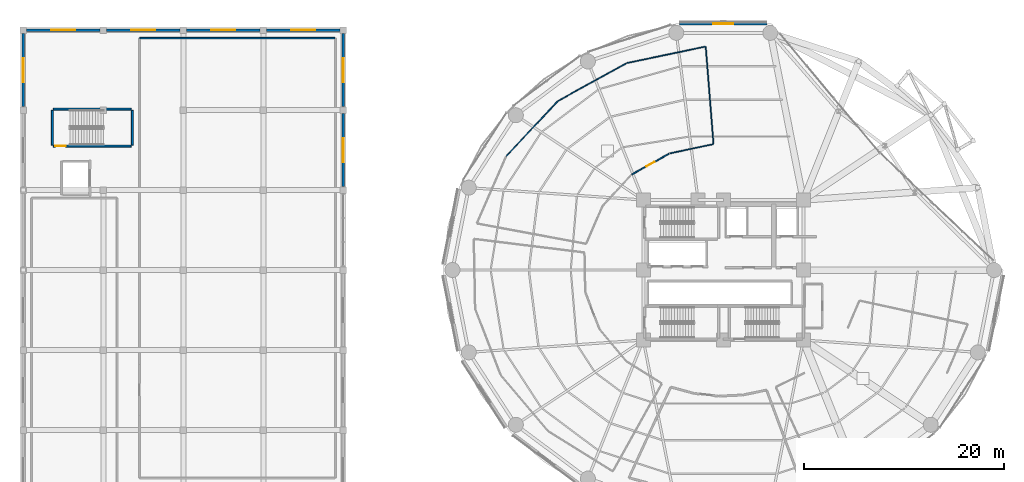
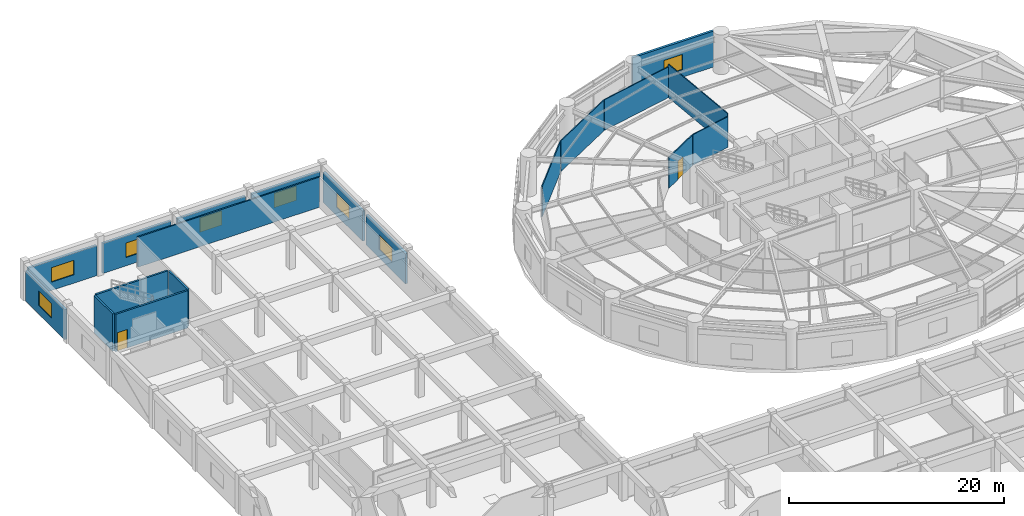
# One storey, part 44 of 52: 19 walls, 8 windows, 2 doors, 10 openings.
"""IFC4 building model written with IfcOpenShell, lengths in metres."""

from ifc_helpers import new_model, si_unit, direction, frame, frame_2d, origin, place, context, subcontext, project, spatial, rectangle, extrude, material, layer, layer_set, type_object, element, fill, save


model = new_model("IFC4")

# Units and contexts
model_context = context("Model", 3, precision=1e-05, world=origin(), true_north=direction((0.0, 1.0)))
body_context = subcontext(model_context, "Body", "Model", "MODEL_VIEW")
ifc_project = project(units=[si_unit("LENGTHUNIT", "METRE"), si_unit("AREAUNIT", "SQUARE_METRE"), si_unit("VOLUMEUNIT", "CUBIC_METRE"), si_unit("PLANEANGLEUNIT", "RADIAN"), si_unit("MASSUNIT", "GRAM", prefix="KILO")], contexts=[model_context])

# Site, building, storey
site_placement = place(None, origin())
site = spatial("IfcSite", under=ifc_project, at=site_placement, CompositionType="ELEMENT")
building_placement = place(site_placement, origin())
building = spatial("IfcBuilding", under=site, at=building_placement, Name="Kelanora Arch Commons", CompositionType="ELEMENT")
storey_placement = place(building_placement, frame((0.0, 0.0, 13.5)))
storey = spatial("IfcBuildingStorey", under=building, at=storey_placement, Name="L03", CompositionType="ELEMENT", Elevation=13.5)

# Wall
ifc_material_1 = material(Name="Autoclaved aerated concrete blockwork with fire plaster", Category="masonry")
ifc_layer_1 = layer(ifc_material_1, 0.14990234375)
ifc_layer_set_1 = layer_set([ifc_layer_1], Name="Autoclaved aerated concrete blockwork with fire plaster")
wall_type_1 = type_object("IfcWallType", Name="W-COMP-150", PredefinedType="PARTITIONING", material=ifc_layer_set_1)
wall_1_placement = place(storey_placement, frame((35.159912109375, 81.199951171875, 0.0), z_axis=(0.0, 0.0, 1.0), x_axis=(-1.0, 0.0, 0.0)))
element("IfcWall", 1, at=wall_1_placement, inside=storey, type_object=wall_type_1, Name="Market Bakery Bulk Flour and Cold Store L03 Enclosure Partition 3", PredefinedType="PARTITIONING", context=body_context, shape_type="SweptSolid", body=[
    extrude(rectangle(XDim=19.5, YDim=0.14990234375, at=frame_2d((9.75, 0.0))), origin(), (0.0, 0.0, 1.0), 3.425048828125),
])

# Wall, opening, window
ifc_material_2 = material(Name="Precast concrete C40/50 with terracotta ceramic cladding", Category="masonry")
ifc_layer_2 = layer(ifc_material_2, 0.25)
ifc_layer_set_2 = layer_set([ifc_layer_2], Name="Precast concrete C40/50 with terracotta ceramic cladding")
wall_type_2 = type_object("IfcWallType", Name="W-EXT-MKT", PredefinedType="SOLIDWALL", material=ifc_layer_set_2)
wall_2_placement = place(storey_placement, frame((36.0, 66.330078125, 0.0), z_axis=(0.0, 0.0, 1.0), x_axis=(0.0, 1.0, 0.0)))
wall_2 = element("IfcWall", 2, at=wall_2_placement, inside=storey, type_object=wall_type_2, Name="Market Hall Exterior Wall L03-28", PredefinedType="SOLIDWALL", context=body_context, shape_type="SweptSolid", body=[
    extrude(rectangle(XDim=7.33984375, YDim=0.25, at=frame_2d((3.669921875, 0.0))), origin(), (0.0, 0.0, 1.0), 3.419921875),
])
opening_1_placement = place(wall_2_placement, frame((2.469970703125, 0.0, 0.949951171875)))
opening_1 = element("IfcOpeningElement", 3, at=opening_1_placement, cuts=wall_2, Name="Opening WN-03", PredefinedType="OPENING", context=body_context, shape_type="SweptSolid", body=[
    extrude(rectangle(XDim=2.39990234375, YDim=1.64990234375, at=frame_2d((1.199951171875, 0.824951171875))), frame((0.0, 0.135009765625, 0.0), z_axis=(0.0, -1.0, 0.0), x_axis=(1.0, 0.0, 0.0)), (0.0, 0.0, 1.0), 0.27001953125),
])
ifc_material_3 = material(Name="Bronze-terracotta aluminium monsoon clerestory window", Category="masonry")
window_type_1 = type_object("IfcWindowType", Name="WIN-MKT-24", PartitioningType="TRIPLE_PANEL_VERTICAL", PredefinedType="WINDOW", material=ifc_material_3)
window_1_placement = place(opening_1_placement, origin())
window_1 = element("IfcWindow", 4, at=window_1_placement, inside=storey, type_object=window_type_1, Name="Market Hall Clerestory Window L03-28", OverallHeight=1.64990234375, OverallWidth=2.39990234375, PartitioningType="SINGLE_PANEL", PredefinedType="WINDOW", context=body_context, shape_type="SweptSolid", body=[
    extrude(rectangle(XDim=2.39990234375, YDim=1.64990234375, at=frame_2d((1.199951171875, 0.824951171875))), frame((0.0, 0.030029296875, 0.0), z_axis=(0.0, -1.0, 0.0), x_axis=(1.0, 0.0, 0.0)), (0.0, 0.0, 1.0), 0.06005859375),
])
fill(opening_1, window_1)

wall_3_placement = place(storey_placement, frame((36.0, 74.330078125, 0.0), z_axis=(0.0, 0.0, 1.0), x_axis=(0.0, 1.0, 0.0)))
wall_3 = element("IfcWall", 5, at=wall_3_placement, inside=storey, type_object=wall_type_2, Name="Market Hall Exterior Wall L03-29", PredefinedType="SOLIDWALL", context=body_context, shape_type="SweptSolid", body=[
    extrude(rectangle(XDim=7.33984375, YDim=0.25, at=frame_2d((3.669921875, 0.0))), origin(), (0.0, 0.0, 1.0), 3.419921875),
])
opening_2_placement = place(wall_3_placement, frame((2.469970703125, 0.0, 0.949951171875)))
opening_2 = element("IfcOpeningElement", 6, at=opening_2_placement, cuts=wall_3, Name="Opening WN-03", PredefinedType="OPENING", context=body_context, shape_type="SweptSolid", body=[
    extrude(rectangle(XDim=2.39990234375, YDim=1.64990234375, at=frame_2d((1.199951171875, 0.824951171875))), frame((0.0, 0.135009765625, 0.0), z_axis=(0.0, -1.0, 0.0), x_axis=(1.0, 0.0, 0.0)), (0.0, 0.0, 1.0), 0.27001953125),
])
window_2_placement = place(opening_2_placement, origin())
window_2 = element("IfcWindow", 7, at=window_2_placement, inside=storey, type_object=window_type_1, Name="Market Hall Clerestory Window L03-29", OverallHeight=1.64990234375, OverallWidth=2.39990234375, PartitioningType="SINGLE_PANEL", PredefinedType="WINDOW", context=body_context, shape_type="SweptSolid", body=[
    extrude(rectangle(XDim=2.39990234375, YDim=1.64990234375, at=frame_2d((1.199951171875, 0.824951171875))), frame((0.0, 0.030029296875, 0.0), z_axis=(0.0, -1.0, 0.0), x_axis=(1.0, 0.0, 0.0)), (0.0, 0.0, 1.0), 0.06005859375),
])
fill(opening_2, window_2)

wall_4_placement = place(storey_placement, frame((35.669921875, 82.0, 0.0), z_axis=(0.0, 0.0, 1.0), x_axis=(-1.0, 0.0, 0.0)))
wall_4 = element("IfcWall", 8, at=wall_4_placement, inside=storey, type_object=wall_type_2, Name="Market Hall Exterior Wall L03-30", PredefinedType="SOLIDWALL", context=body_context, shape_type="SweptSolid", body=[
    extrude(rectangle(XDim=7.33984375, YDim=0.25, at=frame_2d((3.669921875, 0.0))), origin(), (0.0, 0.0, 1.0), 3.419921875),
])
opening_3_placement = place(wall_4_placement, frame((2.469970703125, 0.0, 0.949951171875)))
opening_3 = element("IfcOpeningElement", 9, at=opening_3_placement, cuts=wall_4, Name="Opening WN-03", PredefinedType="OPENING", context=body_context, shape_type="SweptSolid", body=[
    extrude(rectangle(XDim=2.39990234375, YDim=1.64990234375, at=frame_2d((1.199951171875, 0.824951171875))), frame((0.0, 0.135009765625, 0.0), z_axis=(0.0, -1.0, 0.0), x_axis=(1.0, 0.0, 0.0)), (0.0, 0.0, 1.0), 0.27001953125),
])
window_3_placement = place(opening_3_placement, origin())
window_3 = element("IfcWindow", 10, at=window_3_placement, inside=storey, type_object=window_type_1, Name="Market Hall Clerestory Window L03-30", OverallHeight=1.64990234375, OverallWidth=2.39990234375, PartitioningType="SINGLE_PANEL", PredefinedType="WINDOW", context=body_context, shape_type="SweptSolid", body=[
    extrude(rectangle(XDim=2.39990234375, YDim=1.64990234375, at=frame_2d((1.199951171875, 0.824951171875))), frame((0.0, 0.030029296875, 0.0), z_axis=(0.0, -1.0, 0.0), x_axis=(1.0, 0.0, 0.0)), (0.0, 0.0, 1.0), 0.06005859375),
])
fill(opening_3, window_3)

wall_5_placement = place(storey_placement, frame((27.669921875, 82.0, 0.0), z_axis=(0.0, 0.0, 1.0), x_axis=(-1.0, 0.0, 0.0)))
wall_5 = element("IfcWall", 11, at=wall_5_placement, inside=storey, type_object=wall_type_2, Name="Market Hall Exterior Wall L03-31", PredefinedType="SOLIDWALL", context=body_context, shape_type="SweptSolid", body=[
    extrude(rectangle(XDim=7.33984375, YDim=0.25, at=frame_2d((3.669921875, 0.0))), origin(), (0.0, 0.0, 1.0), 3.419921875),
])
opening_4_placement = place(wall_5_placement, frame((2.469970703125, 0.0, 0.949951171875)))
opening_4 = element("IfcOpeningElement", 12, at=opening_4_placement, cuts=wall_5, Name="Opening WN-03", PredefinedType="OPENING", context=body_context, shape_type="SweptSolid", body=[
    extrude(rectangle(XDim=2.39990234375, YDim=1.64990234375, at=frame_2d((1.199951171875, 0.824951171875))), frame((0.0, 0.135009765625, 0.0), z_axis=(0.0, -1.0, 0.0), x_axis=(1.0, 0.0, 0.0)), (0.0, 0.0, 1.0), 0.27001953125),
])
window_4_placement = place(opening_4_placement, origin())
window_4 = element("IfcWindow", 13, at=window_4_placement, inside=storey, type_object=window_type_1, Name="Market Hall Clerestory Window L03-31", OverallHeight=1.64990234375, OverallWidth=2.39990234375, PartitioningType="SINGLE_PANEL", PredefinedType="WINDOW", context=body_context, shape_type="SweptSolid", body=[
    extrude(rectangle(XDim=2.39990234375, YDim=1.64990234375, at=frame_2d((1.199951171875, 0.824951171875))), frame((0.0, 0.030029296875, 0.0), z_axis=(0.0, -1.0, 0.0), x_axis=(1.0, 0.0, 0.0)), (0.0, 0.0, 1.0), 0.06005859375),
])
fill(opening_4, window_4)

wall_6_placement = place(storey_placement, frame((19.669921875, 82.0, 0.0), z_axis=(0.0, 0.0, 1.0), x_axis=(-1.0, 0.0, 0.0)))
wall_6 = element("IfcWall", 14, at=wall_6_placement, inside=storey, type_object=wall_type_2, Name="Market Hall Exterior Wall L03-32", PredefinedType="SOLIDWALL", context=body_context, shape_type="SweptSolid", body=[
    extrude(rectangle(XDim=7.33984375, YDim=0.25, at=frame_2d((3.669921875, 0.0))), origin(), (0.0, 0.0, 1.0), 3.419921875),
])
opening_5_placement = place(wall_6_placement, frame((2.469970703125, 0.0, 0.949951171875)))
opening_5 = element("IfcOpeningElement", 15, at=opening_5_placement, cuts=wall_6, Name="Opening WN-03", PredefinedType="OPENING", context=body_context, shape_type="SweptSolid", body=[
    extrude(rectangle(XDim=2.39990234375, YDim=1.64990234375, at=frame_2d((1.199951171875, 0.824951171875))), frame((0.0, 0.135009765625, 0.0), z_axis=(0.0, -1.0, 0.0), x_axis=(1.0, 0.0, 0.0)), (0.0, 0.0, 1.0), 0.27001953125),
])
window_5_placement = place(opening_5_placement, origin())
window_5 = element("IfcWindow", 16, at=window_5_placement, inside=storey, type_object=window_type_1, Name="Market Hall Clerestory Window L03-32", OverallHeight=1.64990234375, OverallWidth=2.39990234375, PartitioningType="SINGLE_PANEL", PredefinedType="WINDOW", context=body_context, shape_type="SweptSolid", body=[
    extrude(rectangle(XDim=2.39990234375, YDim=1.64990234375, at=frame_2d((1.199951171875, 0.824951171875))), frame((0.0, 0.030029296875, 0.0), z_axis=(0.0, -1.0, 0.0), x_axis=(1.0, 0.0, 0.0)), (0.0, 0.0, 1.0), 0.06005859375),
])
fill(opening_5, window_5)

wall_7_placement = place(storey_placement, frame((11.669921875, 82.0, 0.0), z_axis=(0.0, 0.0, 1.0), x_axis=(-1.0, 0.0, 0.0)))
wall_7 = element("IfcWall", 17, at=wall_7_placement, inside=storey, type_object=wall_type_2, Name="Market Hall Exterior Wall L03-33", PredefinedType="SOLIDWALL", context=body_context, shape_type="SweptSolid", body=[
    extrude(rectangle(XDim=7.33984375, YDim=0.25, at=frame_2d((3.669921875, 0.0))), origin(), (0.0, 0.0, 1.0), 3.419921875),
])
opening_6_placement = place(wall_7_placement, frame((2.469970703125, 0.0, 0.949951171875)))
opening_6 = element("IfcOpeningElement", 18, at=opening_6_placement, cuts=wall_7, Name="Opening WN-03", PredefinedType="OPENING", context=body_context, shape_type="SweptSolid", body=[
    extrude(rectangle(XDim=2.39990234375, YDim=1.64990234375, at=frame_2d((1.199951171875, 0.824951171875))), frame((0.0, 0.135009765625, 0.0), z_axis=(0.0, -1.0, 0.0), x_axis=(1.0, 0.0, 0.0)), (0.0, 0.0, 1.0), 0.27001953125),
])
window_6_placement = place(opening_6_placement, origin())
window_6 = element("IfcWindow", 19, at=window_6_placement, inside=storey, type_object=window_type_1, Name="Market Hall Clerestory Window L03-33", OverallHeight=1.64990234375, OverallWidth=2.39990234375, PartitioningType="SINGLE_PANEL", PredefinedType="WINDOW", context=body_context, shape_type="SweptSolid", body=[
    extrude(rectangle(XDim=2.39990234375, YDim=1.64990234375, at=frame_2d((1.199951171875, 0.824951171875))), frame((0.0, 0.030029296875, 0.0), z_axis=(0.0, -1.0, 0.0), x_axis=(1.0, 0.0, 0.0)), (0.0, 0.0, 1.0), 0.06005859375),
])
fill(opening_6, window_6)

wall_8_placement = place(storey_placement, frame((4.0, 81.669921875, 0.0), z_axis=(0.0, 0.0, 1.0), x_axis=(0.0, -1.0, 0.0)))
wall_8 = element("IfcWall", 20, at=wall_8_placement, inside=storey, type_object=wall_type_2, Name="Market Hall Exterior Wall L03-34", PredefinedType="SOLIDWALL", context=body_context, shape_type="SweptSolid", body=[
    extrude(rectangle(XDim=7.33984375, YDim=0.25, at=frame_2d((3.669921875, 0.0))), origin(), (0.0, 0.0, 1.0), 3.419921875),
])
opening_7_placement = place(wall_8_placement, frame((2.469970703125, 0.0, 0.949951171875)))
opening_7 = element("IfcOpeningElement", 21, at=opening_7_placement, cuts=wall_8, Name="Opening WN-03", PredefinedType="OPENING", context=body_context, shape_type="SweptSolid", body=[
    extrude(rectangle(XDim=2.39990234375, YDim=1.64990234375, at=frame_2d((1.199951171875, 0.824951171875))), frame((0.0, 0.135009765625, 0.0), z_axis=(0.0, -1.0, 0.0), x_axis=(1.0, 0.0, 0.0)), (0.0, 0.0, 1.0), 0.27001953125),
])
window_7_placement = place(opening_7_placement, origin())
window_7 = element("IfcWindow", 22, at=window_7_placement, inside=storey, type_object=window_type_1, Name="Market Hall Clerestory Window L03-34", OverallHeight=1.64990234375, OverallWidth=2.39990234375, PartitioningType="SINGLE_PANEL", PredefinedType="WINDOW", context=body_context, shape_type="SweptSolid", body=[
    extrude(rectangle(XDim=2.39990234375, YDim=1.64990234375, at=frame_2d((1.199951171875, 0.824951171875))), frame((0.0, 0.030029296875, 0.0), z_axis=(0.0, -1.0, 0.0), x_axis=(1.0, 0.0, 0.0)), (0.0, 0.0, 1.0), 0.06005859375),
])
fill(opening_7, window_7)

ifc_material_4 = material(Name="Precast concrete C40/50 with terracotta rainscreen", Category="masonry")
ifc_layer_3 = layer(ifc_material_4, 0.260009765625)
ifc_layer_set_3 = layer_set([ifc_layer_3], Name="Precast concrete C40/50 with terracotta rainscreen")
wall_type_3 = type_object("IfcWallType", Name="W-EXT-TC", PredefinedType="SOLIDWALL", material=ifc_layer_set_3)
wall_9_placement = place(storey_placement, frame((78.35595703125, 82.6201171875, 0.0), z_axis=(0.0, 0.0, 1.0), x_axis=(-1.0, 0.0, 0.0)))
wall_9 = element("IfcWall", 23, at=wall_9_placement, inside=storey, type_object=wall_type_3, Name="Terracotta Exterior Wall L03-B04", PredefinedType="SOLIDWALL", context=body_context, shape_type="SweptSolid", body=[
    extrude(rectangle(XDim=8.7119140625, YDim=0.260009765625, at=frame_2d((4.35595703125, 0.0))), origin(), (0.0, 0.0, 1.0), 4.0849609375),
])
opening_8_placement = place(wall_9_placement, frame((3.35595703125, 0.0, 0.85009765625)))
opening_8 = element("IfcOpeningElement", 24, at=opening_8_placement, cuts=wall_9, Name="Opening WN-05", PredefinedType="OPENING", context=body_context, shape_type="SweptSolid", body=[
    extrude(rectangle(XDim=2.0, YDim=1.75, at=frame_2d((1.0, 0.875))), frame((0.0, 0.14013671875, 0.0), z_axis=(0.0, -1.0, 0.0), x_axis=(1.0, 0.0, 0.0)), (0.0, 0.0, 1.0), 0.280029296875),
])
ifc_material_5 = material(Name="Terracotta-anodised aluminium podium window", Category="masonry")
window_type_2 = type_object("IfcWindowType", Name="WIN-POD-20", PartitioningType="TRIPLE_PANEL_VERTICAL", PredefinedType="WINDOW", material=ifc_material_5)
window_8_placement = place(opening_8_placement, origin())
window_8 = element("IfcWindow", 25, at=window_8_placement, inside=storey, type_object=window_type_2, Name="Podium Window L03-B04", OverallHeight=1.75, OverallWidth=2.0, PartitioningType="SINGLE_PANEL", PredefinedType="WINDOW", context=body_context, shape_type="SweptSolid", body=[
    extrude(rectangle(XDim=2.0, YDim=1.75, at=frame_2d((1.0, 0.875))), frame((0.0, 0.030029296875, 0.0), z_axis=(0.0, -1.0, 0.0), x_axis=(1.0, 0.0, 0.0)), (0.0, 0.0, 1.0), 0.06005859375),
])
fill(opening_8, window_8)

# Walls
ifc_material_6 = material(Name="Lightweight fire-rated acoustic stud partition")
ifc_layer_4 = layer(ifc_material_6, 0.10009765625)
ifc_layer_set_4 = layer_set([ifc_layer_4], Name="Lightweight fire-rated acoustic stud partition")
wall_type_4 = type_object("IfcWallType", Name="W-PART-100", PredefinedType="PARTITIONING", material=ifc_layer_set_4)
wall_10_placement = place(storey_placement, frame((72.98291015625, 70.580810546875, 0.0), z_axis=(0.0, 0.0, 1.0), x_axis=(-0.978253554802, -0.207412590066, 0.0)))
element("IfcWall", 26, at=wall_10_placement, inside=storey, type_object=wall_type_4, Name="Shared Student Study Commons L03-B Enclosure Partition 1", PredefinedType="PARTITIONING", context=body_context, shape_type="SweptSolid", body=[
    extrude(rectangle(XDim=4.404541015625, YDim=0.10009765625, at=frame_2d((2.2021484375, 0.0))), origin(), (0.0, 0.0, 1.0), 3.485107421875),
])
wall_11_placement = place(storey_placement, frame((52.314208984375, 69.398193359375, 0.0), z_axis=(0.0, 0.0, 1.0), x_axis=(0.683252302105, 0.730182368774, 0.0)))
element("IfcWall", 27, at=wall_11_placement, inside=storey, type_object=wall_type_4, Name="Shared Student Study Commons L03-B Enclosure Partition 7", PredefinedType="PARTITIONING", context=body_context, shape_type="SweptSolid", body=[
    extrude(rectangle(XDim=7.501708984375, YDim=0.10009765625, at=frame_2d((3.7509765625, 0.0))), origin(), (0.0, 0.0, 1.0), 3.485107421875),
])
wall_12_placement = place(storey_placement, frame((57.501953125, 74.92431640625, 0.0), z_axis=(0.0, 0.0, 1.0), x_axis=(0.876163581943, 0.482013877059, 0.0)))
element("IfcWall", 28, at=wall_12_placement, inside=storey, type_object=wall_type_4, Name="Shared Student Study Commons L03-B Enclosure Partition 8", PredefinedType="PARTITIONING", context=body_context, shape_type="SweptSolid", body=[
    extrude(rectangle(XDim=7.782958984375, YDim=0.10009765625, at=frame_2d((3.8916015625, 0.0))), origin(), (0.0, 0.0, 1.0), 3.485107421875),
])
wall_13_placement = place(storey_placement, frame((64.395263671875, 78.703125, 0.0), z_axis=(0.0, 0.0, 1.0), x_axis=(0.978799758691, 0.204819511731, 0.0)))
element("IfcWall", 29, at=wall_13_placement, inside=storey, type_object=wall_type_4, Name="Shared Student Study Commons L03-B Enclosure Partition 9", PredefinedType="PARTITIONING", context=body_context, shape_type="SweptSolid", body=[
    extrude(rectangle(XDim=7.976806640625, YDim=0.10009765625, at=frame_2d((3.98828125, 0.0))), origin(), (0.0, 0.0, 1.0), 3.485107421875),
])
wall_14_placement = place(storey_placement, frame((72.2451171875, 80.30517578125, 0.0), z_axis=(0.0, 0.0, 1.0), x_axis=(0.079702238281, -0.996818716324, 0.0)))
element("IfcWall", 30, at=wall_14_placement, inside=storey, type_object=wall_type_4, Name="Shared Student Study Commons L03-B Enclosure Partition 10", PredefinedType="PARTITIONING", context=body_context, shape_type="SweptSolid", body=[
    extrude(rectangle(XDim=9.70703125, YDim=0.10009765625, at=frame_2d((4.853515625, 0.0))), origin(), (0.0, 0.0, 1.0), 3.784912109375),
])

# Wall, opening, door
ifc_material_7 = material(Name="Acoustic twin-stud fire-rated gypsum partition")
ifc_layer_5 = layer(ifc_material_7, 0.1201171875)
ifc_layer_set_5 = layer_set([ifc_layer_5], Name="Acoustic twin-stud fire-rated gypsum partition")
wall_type_5 = type_object("IfcWallType", Name="W-PART-120", PredefinedType="PARTITIONING", material=ifc_layer_set_5)
wall_15_placement = place(storey_placement, frame((68.58251953125, 69.6298828125, 0.0), z_axis=(0.0, 0.0, 1.0), x_axis=(-0.873606197164, -0.4866335503, 0.0)))
wall_15 = element("IfcWall", 31, at=wall_15_placement, inside=storey, type_object=wall_type_5, Name="Shared Student Study Commons L03-B Entry Partition", PredefinedType="PARTITIONING", context=body_context, shape_type="SweptSolid", body=[
    extrude(rectangle(XDim=4.267333984375, YDim=0.1201171875, at=frame_2d((2.1337890625, 0.0))), origin(), (0.0, 0.0, 1.0), 3.485107421875),
])
opening_9_placement = place(wall_15_placement, frame((1.68408203125, 0.0, 0.0)))
opening_9 = element("IfcOpeningElement", 32, at=opening_9_placement, cuts=wall_15, Name="Opening D-RM1", PredefinedType="OPENING", context=body_context, shape_type="SweptSolid", body=[
    extrude(rectangle(XDim=0.89990234375, YDim=2.080078125, at=frame_2d((0.449951171875, 1.0400390625))), frame((0.0, 0.070068359375, 0.0), z_axis=(0.0, -1.0, 0.0), x_axis=(1.0, 0.0, 0.0)), (0.0, 0.0, 1.0), 0.14013671875),
])
ifc_material_8 = material(Name="Acoustic fire-rated timber study and lounge door", Category="wood")
door_type_1 = type_object("IfcDoorType", Name="D-ROOM-90", OperationType="NOTDEFINED", PredefinedType="DOOR", material=ifc_material_8)
door_1_placement = place(opening_9_placement, origin())
door_1 = element("IfcDoor", 33, at=door_1_placement, inside=storey, type_object=door_type_1, Name="Shared Student Study Commons L03-B Door", OperationType="SINGLE_SWING_RIGHT", OverallHeight=2.080078125, OverallWidth=0.89990234375, PredefinedType="DOOR", context=body_context, shape_type="SweptSolid", body=[
    extrude(rectangle(XDim=0.89990234375, YDim=2.080078125, at=frame_2d((0.449951171875, 1.0400390625))), frame((0.0, 0.02490234375, 0.0), z_axis=(0.0, -1.0, 0.0), x_axis=(1.0, 0.0, 0.0)), (0.0, 0.0, 1.0), 0.050048828125),
])
fill(opening_9, door_1)

ifc_material_9 = material(Name="Concrete C40/50", Category="concrete")
ifc_layer_6 = layer(ifc_material_9, 0.199951171875)
ifc_layer_set_6 = layer_set([ifc_layer_6], Name="Concrete C40/50")
wall_type_6 = type_object("IfcWallType", Name="W-STAIR-200", PredefinedType="SHEAR", material=ifc_layer_set_6)
wall_16_placement = place(storey_placement, frame((7.02001953125, 70.3798828125, 0.0), z_axis=(0.0, 0.0, 1.0), x_axis=(1.0, 0.0, 0.0)))
wall_16 = element("IfcWall", 34, at=wall_16_placement, inside=storey, type_object=wall_type_6, Name="Stair ST-M3 Shaft Wall S L03", PredefinedType="SHEAR", context=body_context, shape_type="SweptSolid", body=[
    extrude(rectangle(XDim=7.760009765625, YDim=0.199951171875, at=frame_2d((3.8798828125, 0.0))), origin(), (0.0, 0.0, 1.0), 4.239990234375),
])
opening_10_placement = place(wall_16_placement, frame((0.199951171875, 0.0, 0.0)))
opening_10 = element("IfcOpeningElement", 35, at=opening_10_placement, cuts=wall_16, Name="Opening D-ST1", PredefinedType="OPENING", context=body_context, shape_type="SweptSolid", body=[
    extrude(rectangle(XDim=1.050048828125, YDim=2.10009765625, at=frame_2d((0.52490234375, 1.050048828125))), frame((0.0, 0.10986328125, 0.0), z_axis=(0.0, -1.0, 0.0), x_axis=(1.0, 0.0, 0.0)), (0.0, 0.0, 1.0), 0.219970703125),
])
ifc_material_10 = material(Name="Steel fire-rated stairwell escape door", Category="steel")
door_type_2 = type_object("IfcDoorType", Name="D-STAIR-110", OperationType="NOTDEFINED", PredefinedType="DOOR", material=ifc_material_10)
door_2_placement = place(opening_10_placement, origin())
door_2 = element("IfcDoor", 36, at=door_2_placement, inside=storey, type_object=door_type_2, Name="Stair ST-M3 Escape Door L03", OperationType="SINGLE_SWING_LEFT", OverallHeight=2.10009765625, OverallWidth=1.050048828125, PredefinedType="DOOR", context=body_context, shape_type="SweptSolid", body=[
    extrude(rectangle(XDim=1.050048828125, YDim=2.10009765625, at=frame_2d((0.52490234375, 1.050048828125))), frame((0.0, 0.02490234375, 0.0), z_axis=(0.0, -1.0, 0.0), x_axis=(1.0, 0.0, 0.0)), (0.0, 0.0, 1.0), 0.050048828125),
])
fill(opening_10, door_2)

# Walls
wall_17_placement = place(storey_placement, frame((14.89990234375, 70.5, 0.0), z_axis=(0.0, 0.0, 1.0), x_axis=(0.0, 1.0, 0.0)))
element("IfcWall", 37, at=wall_17_placement, inside=storey, type_object=wall_type_6, Name="Stair ST-M3 Shaft Wall E L03", PredefinedType="SHEAR", context=body_context, shape_type="SweptSolid", body=[
    extrude(rectangle(XDim=3.469970703125, YDim=0.199951171875, at=frame_2d((1.73486328125, 0.0))), origin(), (0.0, 0.0, 1.0), 4.239990234375),
])
wall_18_placement = place(storey_placement, frame((14.780029296875, 74.090087890625, 0.0), z_axis=(0.0, 0.0, 1.0), x_axis=(-1.0, 0.0, 0.0)))
element("IfcWall", 38, at=wall_18_placement, inside=storey, type_object=wall_type_6, Name="Stair ST-M3 Shaft Wall N L03", PredefinedType="SHEAR", context=body_context, shape_type="SweptSolid", body=[
    extrude(rectangle(XDim=7.760009765625, YDim=0.199951171875, at=frame_2d((3.8798828125, 0.0))), origin(), (0.0, 0.0, 1.0), 4.239990234375),
])
wall_19_placement = place(storey_placement, frame((6.89990234375, 73.969970703125, 0.0), z_axis=(0.0, 0.0, 1.0), x_axis=(0.0, -1.0, 0.0)))
element("IfcWall", 39, at=wall_19_placement, inside=storey, type_object=wall_type_6, Name="Stair ST-M3 Shaft Wall W L03", PredefinedType="SHEAR", context=body_context, shape_type="SweptSolid", body=[
    extrude(rectangle(XDim=3.469970703125, YDim=0.199951171875, at=frame_2d((1.73486328125, 0.0))), origin(), (0.0, 0.0, 1.0), 4.239990234375),
])

save(model, "model.ifc")
